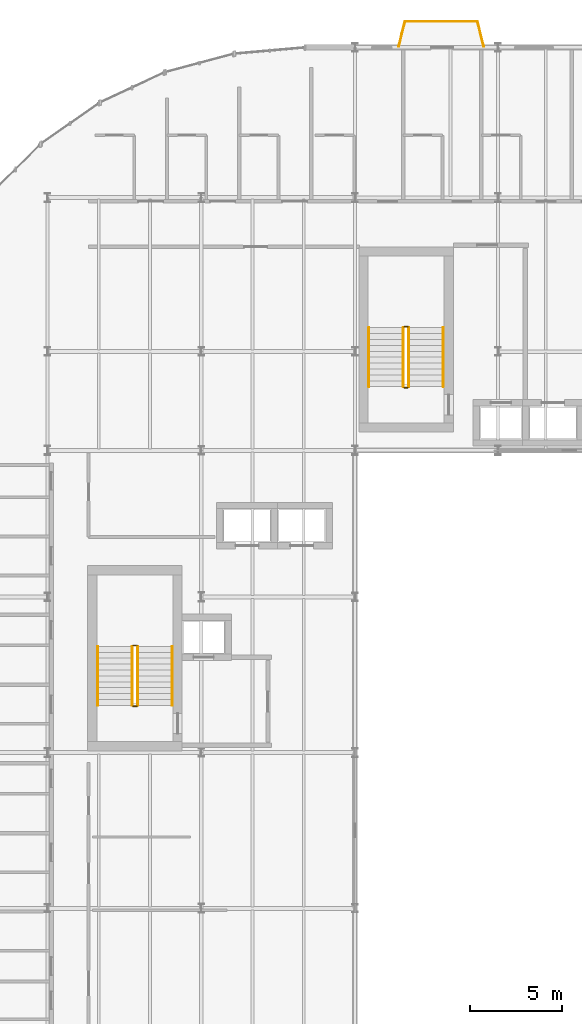
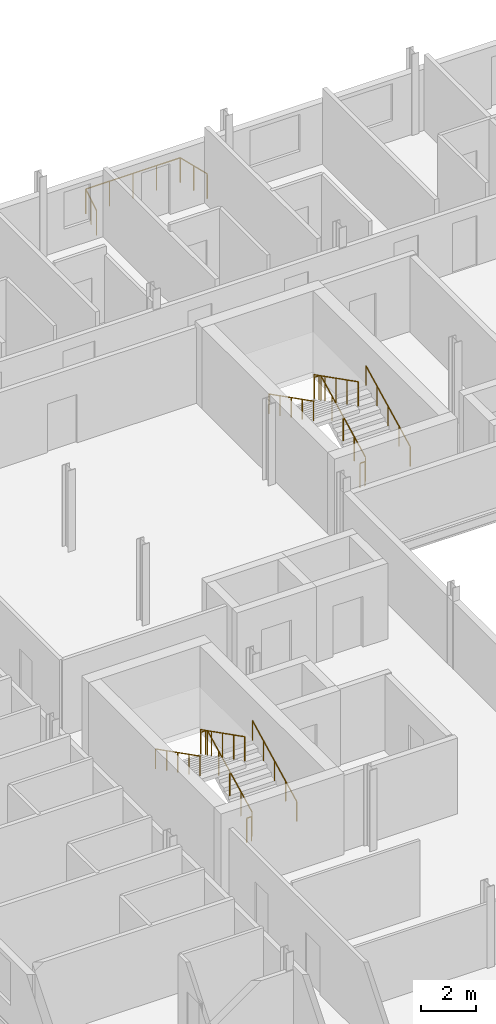
# One storey, part 32 of 34: 15 railings.
"""IFC4 building model written with IfcOpenShell, lengths in metres."""

from ifc_helpers import new_model, si_unit, direction, frame, origin, origin_2d, place, context, subcontext, project, spatial, circle, extrude, material, type_object, element, save


model = new_model("IFC4")

# Units and contexts
model_context = context("Model", 3, precision=1e-05, world=origin(), true_north=direction((0.0, 1.0)))
body_context = subcontext(model_context, "Body", "Model", "MODEL_VIEW")
ifc_project = project(units=[si_unit("LENGTHUNIT", "METRE"), si_unit("AREAUNIT", "SQUARE_METRE"), si_unit("VOLUMEUNIT", "CUBIC_METRE"), si_unit("PLANEANGLEUNIT", "RADIAN"), si_unit("MASSUNIT", "GRAM", prefix="KILO")], contexts=[model_context])

# Site, building, storey
site_placement = place(None, origin())
site = spatial("IfcSite", under=ifc_project, at=site_placement, CompositionType="ELEMENT")
building_placement = place(site_placement, origin())
building = spatial("IfcBuilding", under=site, at=building_placement, Name="Sefraquen Railside Congress Hotel", CompositionType="ELEMENT")
storey_placement = place(building_placement, frame((0.0, 0.0, 31.800048828125)))
storey = spatial("IfcBuildingStorey", under=building, at=storey_placement, Name="L07", CompositionType="ELEMENT", Elevation=31.800048828125)

# Railings
ifc_material = material(Name="Patinated wrought architectural bronze", Category="metal")
railing_type_1 = type_object("IfcRailingType", Name="TRL-BAL-110", PredefinedType="BALUSTRADE", material=ifc_material)
railing_1_placement = place(storey_placement, frame((27.580078125, 118.050048828125, 0.0)))
element("IfcRailing", 1, at=railing_1_placement, inside=storey, type_object=railing_type_1, Name="Guest balcony Art Nouveau balustrade L07-01", PredefinedType="BALUSTRADE", context=body_context, shape_type="SweptSolid", body=[
    extrude(circle(Radius=0.02392578125, at=origin_2d()), frame((0.0, 0.0, 1.09619140625), z_axis=(0.240785102022, 0.970578453627, 0.0), x_axis=(-0.970578453627, 0.240785102022, 0.0)), (0.0, 0.0, 1.0), 1.411376953125),
    extrude(circle(Radius=0.02099609375, at=origin_2d()), origin(), (0.0, 0.0, 1.0), 1.072021484375),
    extrude(circle(Radius=0.02099609375, at=origin_2d()), frame((0.169921875, 0.68505859375, 0.0)), (0.0, 0.0, 1.0), 1.072021484375),
    extrude(circle(Radius=0.02099609375, at=origin_2d()), frame((0.33984375, 1.369873046875, 0.0)), (0.0, 0.0, 1.0), 1.072021484375),
])
railing_2_placement = place(storey_placement, frame((27.919921875, 119.419921875, 0.0)))
element("IfcRailing", 2, at=railing_2_placement, inside=storey, type_object=railing_type_1, Name="Guest balcony Art Nouveau balustrade L07-01", PredefinedType="BALUSTRADE", context=body_context, shape_type="SweptSolid", body=[
    extrude(circle(Radius=0.02392578125, at=origin_2d()), frame((0.0, 0.0, 1.09619140625), z_axis=(1.0, 0.0, 0.0), x_axis=(0.0, 1.0, 0.0)), (0.0, 0.0, 1.0), 3.9599609375),
    extrude(circle(Radius=0.02099609375, at=origin_2d()), origin(), (0.0, 0.0, 1.0), 1.072021484375),
    extrude(circle(Radius=0.02099609375, at=origin_2d()), frame((0.989990234375, 0.0, 0.0)), (0.0, 0.0, 1.0), 1.072021484375),
    extrude(circle(Radius=0.02099609375, at=origin_2d()), frame((1.97998046875, 0.0, 0.0)), (0.0, 0.0, 1.0), 1.072021484375),
    extrude(circle(Radius=0.02099609375, at=origin_2d()), frame((2.969970703125, 0.0, 0.0)), (0.0, 0.0, 1.0), 1.072021484375),
    extrude(circle(Radius=0.02099609375, at=origin_2d()), frame((3.9599609375, 0.0, 0.0)), (0.0, 0.0, 1.0), 1.072021484375),
])
railing_3_placement = place(storey_placement, frame((31.8798828125, 119.419921875, 0.0)))
element("IfcRailing", 3, at=railing_3_placement, inside=storey, type_object=railing_type_1, Name="Guest balcony Art Nouveau balustrade L07-01", PredefinedType="BALUSTRADE", context=body_context, shape_type="SweptSolid", body=[
    extrude(circle(Radius=0.02392578125, at=origin_2d()), frame((0.0, 0.0, 1.09619140625), z_axis=(0.240948040829, -0.970538016577, 0.0), x_axis=(0.970538016577, 0.240948040829, 0.0)), (0.0, 0.0, 1.0), 1.411376953125),
    extrude(circle(Radius=0.02099609375, at=origin_2d()), origin(), (0.0, 0.0, 1.0), 1.072021484375),
    extrude(circle(Radius=0.02099609375, at=origin_2d()), frame((0.169921875, -0.68505859375, 0.0)), (0.0, 0.0, 1.0), 1.072021484375),
    extrude(circle(Radius=0.02099609375, at=origin_2d()), frame((0.340087890625, -1.369873046875, 0.0)), (0.0, 0.0, 1.0), 1.072021484375),
])
railing_4_placement = place(storey_placement, frame((13.330078125, 82.080078125, 0.16357421875)))
element("IfcRailing", 4, at=railing_4_placement, inside=storey, type_object=railing_type_1, Name="L07 ST-H01 stair guard 1", PredefinedType="BALUSTRADE", context=body_context, shape_type="SweptSolid", body=[
    extrude(circle(Radius=0.02392578125, at=origin_2d()), frame((0.0, 0.0, 1.076171875), z_axis=(0.0, 0.891474443924, 0.453070983215), x_axis=(-1.0, 0.0, 0.0)), (0.0, 0.0, 1.0), 3.612060546875),
    extrude(circle(Radius=0.02099609375, at=origin_2d()), origin(), (0.0, 0.0, 1.0), 1.052001953125),
    extrude(circle(Radius=0.02099609375, at=origin_2d()), frame((0.0, 0.804931640625, 0.4091796875)), (0.0, 0.0, 1.0), 1.052001953125),
    extrude(circle(Radius=0.02099609375, at=origin_2d()), frame((0.0, 1.60986328125, 0.818359375)), (0.0, 0.0, 1.0), 1.052001953125),
    extrude(circle(Radius=0.02099609375, at=origin_2d()), frame((0.0, 2.4150390625, 1.227294921875)), (0.0, 0.0, 1.0), 1.052001953125),
    extrude(circle(Radius=0.02099609375, at=origin_2d()), frame((0.0, 3.219970703125, 1.636474609375)), (0.0, 0.0, 1.0), 1.052001953125),
])
railing_5_placement = place(storey_placement, frame((13.280029296875, 85.35009765625, 1.800048828125)))
element("IfcRailing", 5, at=railing_5_placement, inside=storey, type_object=railing_type_1, Name="L07 ST-H01 stair guard 2", PredefinedType="BALUSTRADE", context=body_context, shape_type="SweptSolid", body=[
    extrude(circle(Radius=0.02392578125, at=origin_2d()), frame((0.0, 0.0, 1.076171875), z_axis=(-1.0, 0.0, 0.0), x_axis=(0.0, -1.0, 0.0)), (0.0, 0.0, 1.0), 0.199951171875),
    extrude(circle(Radius=0.02099609375, at=origin_2d()), origin(), (0.0, 0.0, 1.0), 1.052001953125),
    extrude(circle(Radius=0.02099609375, at=origin_2d()), frame((-0.199951171875, 0.0, 0.0)), (0.0, 0.0, 1.0), 1.052001953125),
])
railing_6_placement = place(storey_placement, frame((13.030029296875, 85.300048828125, 1.963623046875)))
element("IfcRailing", 6, at=railing_6_placement, inside=storey, type_object=railing_type_1, Name="L07 ST-H01 stair guard 3", PredefinedType="BALUSTRADE", context=body_context, shape_type="SweptSolid", body=[
    extrude(circle(Radius=0.02392578125, at=origin_2d()), frame((0.0, 0.0, 1.076171875), z_axis=(0.0, -0.89150174374, 0.453017263367), x_axis=(1.0, 0.0, 0.0)), (0.0, 0.0, 1.0), 3.61181640625),
    extrude(circle(Radius=0.02099609375, at=origin_2d()), origin(), (0.0, 0.0, 1.0), 1.052001953125),
    extrude(circle(Radius=0.02099609375, at=origin_2d()), frame((0.0, -0.804931640625, 0.4091796875)), (0.0, 0.0, 1.0), 1.052001953125),
    extrude(circle(Radius=0.02099609375, at=origin_2d()), frame((0.0, -1.60986328125, 0.818115234375)), (0.0, 0.0, 1.0), 1.052001953125),
    extrude(circle(Radius=0.02099609375, at=origin_2d()), frame((0.0, -2.4150390625, 1.22705078125)), (0.0, 0.0, 1.0), 1.052001953125),
    extrude(circle(Radius=0.02099609375, at=origin_2d()), frame((0.0, -3.219970703125, 1.63623046875)), (0.0, 0.0, 1.0), 1.052001953125),
])
railing_7_placement = place(storey_placement, frame((13.280029296875, 82.030029296875, 0.0)))
element("IfcRailing", 7, at=railing_7_placement, inside=storey, type_object=railing_type_1, Name="L07 ST-H01 stair guard 4", PredefinedType="BALUSTRADE", context=body_context, shape_type="SweptSolid", body=[
    extrude(circle(Radius=0.02392578125, at=origin_2d()), frame((0.0, 0.0, 1.076171875), z_axis=(-1.0, 0.0, 0.0), x_axis=(0.0, -1.0, 0.0)), (0.0, 0.0, 1.0), 0.199951171875),
    extrude(circle(Radius=0.02099609375, at=origin_2d()), origin(), (0.0, 0.0, 1.0), 1.052001953125),
    extrude(circle(Radius=0.02099609375, at=origin_2d()), frame((-0.199951171875, 0.0, 0.0)), (0.0, 0.0, 1.0), 1.052001953125),
])
railing_8_placement = place(storey_placement, frame((28.1298828125, 99.47998046875, 0.16357421875)))
element("IfcRailing", 8, at=railing_8_placement, inside=storey, type_object=railing_type_1, Name="L07 ST-H02 stair guard 1", PredefinedType="BALUSTRADE", context=body_context, shape_type="SweptSolid", body=[
    extrude(circle(Radius=0.02392578125, at=origin_2d()), frame((0.0, 0.0, 1.076171875), z_axis=(0.0, 0.891474443924, 0.453070983215), x_axis=(-1.0, 0.0, 0.0)), (0.0, 0.0, 1.0), 3.612060546875),
    extrude(circle(Radius=0.02099609375, at=origin_2d()), origin(), (0.0, 0.0, 1.0), 1.052001953125),
    extrude(circle(Radius=0.02099609375, at=origin_2d()), frame((0.0, 0.804931640625, 0.4091796875)), (0.0, 0.0, 1.0), 1.052001953125),
    extrude(circle(Radius=0.02099609375, at=origin_2d()), frame((0.0, 1.60986328125, 0.818359375)), (0.0, 0.0, 1.0), 1.052001953125),
    extrude(circle(Radius=0.02099609375, at=origin_2d()), frame((0.0, 2.4150390625, 1.227294921875)), (0.0, 0.0, 1.0), 1.052001953125),
    extrude(circle(Radius=0.02099609375, at=origin_2d()), frame((0.0, 3.219970703125, 1.636474609375)), (0.0, 0.0, 1.0), 1.052001953125),
])
railing_9_placement = place(storey_placement, frame((28.080078125, 102.75, 1.800048828125)))
element("IfcRailing", 9, at=railing_9_placement, inside=storey, type_object=railing_type_1, Name="L07 ST-H02 stair guard 2", PredefinedType="BALUSTRADE", context=body_context, shape_type="SweptSolid", body=[
    extrude(circle(Radius=0.02392578125, at=origin_2d()), frame((0.0, 0.0, 1.076171875), z_axis=(-1.0, 0.0, 0.0), x_axis=(0.0, -1.0, 0.0)), (0.0, 0.0, 1.0), 0.2001953125),
    extrude(circle(Radius=0.02099609375, at=origin_2d()), origin(), (0.0, 0.0, 1.0), 1.052001953125),
    extrude(circle(Radius=0.02099609375, at=origin_2d()), frame((-0.2001953125, 0.0, 0.0)), (0.0, 0.0, 1.0), 1.052001953125),
])
railing_10_placement = place(storey_placement, frame((27.830078125, 102.699951171875, 1.963623046875)))
element("IfcRailing", 10, at=railing_10_placement, inside=storey, type_object=railing_type_1, Name="L07 ST-H02 stair guard 3", PredefinedType="BALUSTRADE", context=body_context, shape_type="SweptSolid", body=[
    extrude(circle(Radius=0.02392578125, at=origin_2d()), frame((0.0, 0.0, 1.076171875), z_axis=(0.0, -0.89150174374, 0.453017263367), x_axis=(1.0, 0.0, 0.0)), (0.0, 0.0, 1.0), 3.61181640625),
    extrude(circle(Radius=0.02099609375, at=origin_2d()), origin(), (0.0, 0.0, 1.0), 1.052001953125),
    extrude(circle(Radius=0.02099609375, at=origin_2d()), frame((0.0, -0.804931640625, 0.4091796875)), (0.0, 0.0, 1.0), 1.052001953125),
    extrude(circle(Radius=0.02099609375, at=origin_2d()), frame((0.0, -1.60986328125, 0.818115234375)), (0.0, 0.0, 1.0), 1.052001953125),
    extrude(circle(Radius=0.02099609375, at=origin_2d()), frame((0.0, -2.4150390625, 1.22705078125)), (0.0, 0.0, 1.0), 1.052001953125),
    extrude(circle(Radius=0.02099609375, at=origin_2d()), frame((0.0, -3.219970703125, 1.63623046875)), (0.0, 0.0, 1.0), 1.052001953125),
])
railing_11_placement = place(storey_placement, frame((28.080078125, 99.429931640625, 0.0)))
element("IfcRailing", 11, at=railing_11_placement, inside=storey, type_object=railing_type_1, Name="L07 ST-H02 stair guard 4", PredefinedType="BALUSTRADE", context=body_context, shape_type="SweptSolid", body=[
    extrude(circle(Radius=0.02392578125, at=origin_2d()), frame((0.0, 0.0, 1.076171875), z_axis=(-1.0, 0.0, 0.0), x_axis=(0.0, -1.0, 0.0)), (0.0, 0.0, 1.0), 0.2001953125),
    extrude(circle(Radius=0.02099609375, at=origin_2d()), origin(), (0.0, 0.0, 1.0), 1.052001953125),
    extrude(circle(Radius=0.02099609375, at=origin_2d()), frame((-0.2001953125, 0.0, 0.0)), (0.0, 0.0, 1.0), 1.052001953125),
])
railing_type_2 = type_object("IfcRailingType", Name="TRL-HR-090", PredefinedType="HANDRAIL", material=ifc_material)
railing_12_placement = place(storey_placement, frame((15.2099609375, 82.080078125, 0.16357421875)))
element("IfcRailing", 12, at=railing_12_placement, inside=storey, type_object=railing_type_2, Name="L07 ST-H01 stair handrail 1", PredefinedType="HANDRAIL", context=body_context, shape_type="SweptSolid", body=[
    extrude(circle(Radius=0.02392578125, at=origin_2d()), frame((0.0, 0.0, 0.8759765625), z_axis=(0.0, 0.891474443924, 0.453070983215), x_axis=(-1.0, 0.0, 0.0)), (0.0, 0.0, 1.0), 3.612060546875),
    extrude(circle(Radius=0.02099609375, at=origin_2d()), origin(), (0.0, 0.0, 1.0), 0.851806640625),
    extrude(circle(Radius=0.02099609375, at=origin_2d()), frame((0.0, 0.804931640625, 0.4091796875)), (0.0, 0.0, 1.0), 0.851806640625),
    extrude(circle(Radius=0.02099609375, at=origin_2d()), frame((0.0, 1.60986328125, 0.818359375)), (0.0, 0.0, 1.0), 0.851806640625),
    extrude(circle(Radius=0.02099609375, at=origin_2d()), frame((0.0, 2.4150390625, 1.227294921875)), (0.0, 0.0, 1.0), 0.851806640625),
    extrude(circle(Radius=0.02099609375, at=origin_2d()), frame((0.0, 3.219970703125, 1.636474609375)), (0.0, 0.0, 1.0), 0.851806640625),
])
railing_13_placement = place(storey_placement, frame((11.14990234375, 85.300048828125, 1.963623046875)))
element("IfcRailing", 13, at=railing_13_placement, inside=storey, type_object=railing_type_2, Name="L07 ST-H01 stair handrail 2", PredefinedType="HANDRAIL", context=body_context, shape_type="SweptSolid", body=[
    extrude(circle(Radius=0.02392578125, at=origin_2d()), frame((0.0, 0.0, 0.8759765625), z_axis=(0.0, -0.89150174374, 0.453017263367), x_axis=(1.0, 0.0, 0.0)), (0.0, 0.0, 1.0), 3.61181640625),
    extrude(circle(Radius=0.02099609375, at=origin_2d()), origin(), (0.0, 0.0, 1.0), 0.851806640625),
    extrude(circle(Radius=0.02099609375, at=origin_2d()), frame((0.0, -0.804931640625, 0.4091796875)), (0.0, 0.0, 1.0), 0.851806640625),
    extrude(circle(Radius=0.02099609375, at=origin_2d()), frame((0.0, -1.60986328125, 0.818115234375)), (0.0, 0.0, 1.0), 0.851806640625),
    extrude(circle(Radius=0.02099609375, at=origin_2d()), frame((0.0, -2.4150390625, 1.22705078125)), (0.0, 0.0, 1.0), 0.851806640625),
    extrude(circle(Radius=0.02099609375, at=origin_2d()), frame((0.0, -3.219970703125, 1.63623046875)), (0.0, 0.0, 1.0), 0.851806640625),
])
railing_14_placement = place(storey_placement, frame((30.010009765625, 99.47998046875, 0.16357421875)))
element("IfcRailing", 14, at=railing_14_placement, inside=storey, type_object=railing_type_2, Name="L07 ST-H02 stair handrail 1", PredefinedType="HANDRAIL", context=body_context, shape_type="SweptSolid", body=[
    extrude(circle(Radius=0.02392578125, at=origin_2d()), frame((0.0, 0.0, 0.8759765625), z_axis=(0.0, 0.891474443924, 0.453070983215), x_axis=(-1.0, 0.0, 0.0)), (0.0, 0.0, 1.0), 3.612060546875),
    extrude(circle(Radius=0.02099609375, at=origin_2d()), origin(), (0.0, 0.0, 1.0), 0.851806640625),
    extrude(circle(Radius=0.02099609375, at=origin_2d()), frame((0.0, 0.804931640625, 0.4091796875)), (0.0, 0.0, 1.0), 0.851806640625),
    extrude(circle(Radius=0.02099609375, at=origin_2d()), frame((0.0, 1.60986328125, 0.818359375)), (0.0, 0.0, 1.0), 0.851806640625),
    extrude(circle(Radius=0.02099609375, at=origin_2d()), frame((0.0, 2.4150390625, 1.227294921875)), (0.0, 0.0, 1.0), 0.851806640625),
    extrude(circle(Radius=0.02099609375, at=origin_2d()), frame((0.0, 3.219970703125, 1.636474609375)), (0.0, 0.0, 1.0), 0.851806640625),
])
railing_15_placement = place(storey_placement, frame((25.949951171875, 102.699951171875, 1.963623046875)))
element("IfcRailing", 15, at=railing_15_placement, inside=storey, type_object=railing_type_2, Name="L07 ST-H02 stair handrail 2", PredefinedType="HANDRAIL", context=body_context, shape_type="SweptSolid", body=[
    extrude(circle(Radius=0.02392578125, at=origin_2d()), frame((0.0, 0.0, 0.8759765625), z_axis=(0.0, -0.89150174374, 0.453017263367), x_axis=(1.0, 0.0, 0.0)), (0.0, 0.0, 1.0), 3.61181640625),
    extrude(circle(Radius=0.02099609375, at=origin_2d()), origin(), (0.0, 0.0, 1.0), 0.851806640625),
    extrude(circle(Radius=0.02099609375, at=origin_2d()), frame((0.0, -0.804931640625, 0.4091796875)), (0.0, 0.0, 1.0), 0.851806640625),
    extrude(circle(Radius=0.02099609375, at=origin_2d()), frame((0.0, -1.60986328125, 0.818115234375)), (0.0, 0.0, 1.0), 0.851806640625),
    extrude(circle(Radius=0.02099609375, at=origin_2d()), frame((0.0, -2.4150390625, 1.22705078125)), (0.0, 0.0, 1.0), 0.851806640625),
    extrude(circle(Radius=0.02099609375, at=origin_2d()), frame((0.0, -3.219970703125, 1.63623046875)), (0.0, 0.0, 1.0), 0.851806640625),
])

save(model, "model.ifc")
